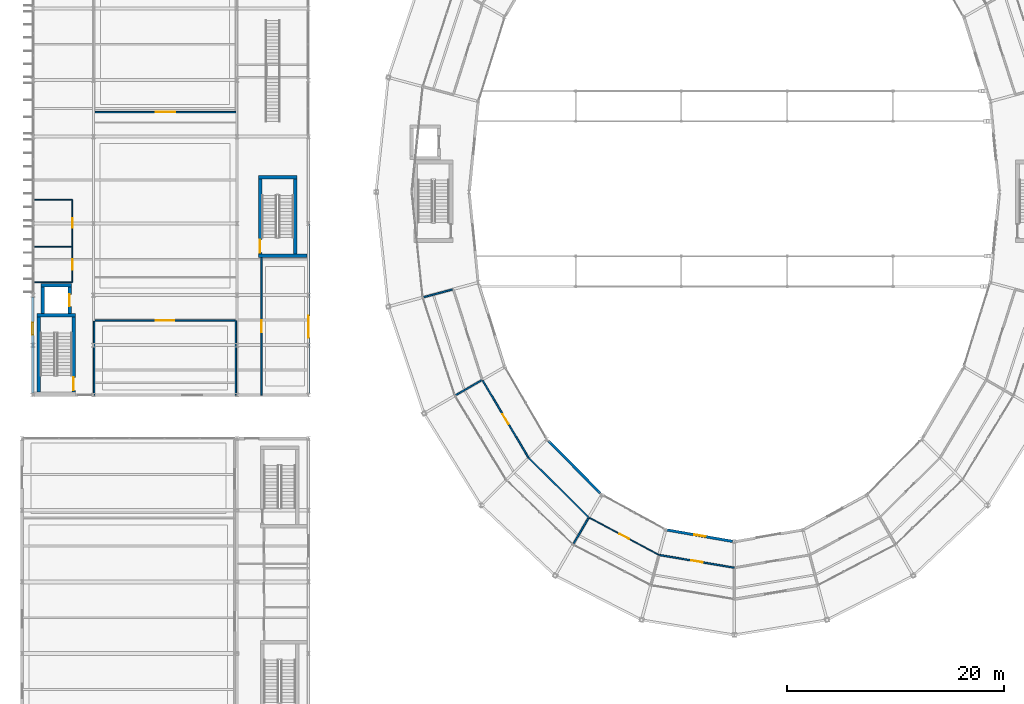
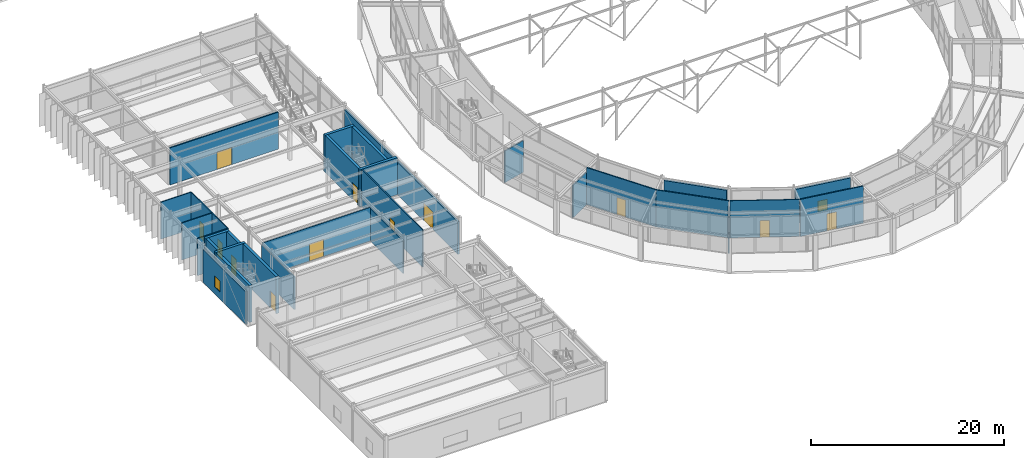
# One storey, part 122 of 144: 31 walls, 12 doors, 2 windows, 14 openings.
"""IFC4 building model written with IfcOpenShell, lengths in metres."""

from ifc_helpers import new_model, si_unit, direction, frame, frame_2d, origin, place, context, subcontext, project, spatial, rectangle, extrude, material, layer, layer_set, type_object, element, fill, save


model = new_model("IFC4")

# Units and contexts
model_context = context("Model", 3, precision=1e-05, world=origin(), true_north=direction((0.0, 1.0)))
body_context = subcontext(model_context, "Body", "Model", "MODEL_VIEW")
ifc_project = project(units=[si_unit("LENGTHUNIT", "METRE"), si_unit("AREAUNIT", "SQUARE_METRE"), si_unit("VOLUMEUNIT", "CUBIC_METRE"), si_unit("PLANEANGLEUNIT", "RADIAN"), si_unit("MASSUNIT", "GRAM", prefix="KILO")], contexts=[model_context])

# Site, building, storey
site_placement = place(None, origin())
site = spatial("IfcSite", under=ifc_project, at=site_placement, CompositionType="ELEMENT")
building_placement = place(site_placement, origin())
building = spatial("IfcBuilding", under=site, at=building_placement, Name="Karori Crest Natural Sciences Institute", CompositionType="ELEMENT")
storey_placement = place(building_placement, origin())
storey = spatial("IfcBuildingStorey", under=building, at=storey_placement, Name="L00", CompositionType="ELEMENT", Elevation=0.0)

# Walls
ifc_material_1 = material(Name="Concrete 50 MPa", Category="concrete")
ifc_layer_1 = layer(ifc_material_1, 0.320068359375, Name="Concrete 50 MPa")
ifc_layer_set_1 = layer_set([ifc_layer_1], Name="Concrete 50 MPa")
wall_type_1 = type_object("IfcWallType", Name="IWT-03", PredefinedType="SHEAR", material=ifc_layer_set_1)
wall_1_placement = place(storey_placement, frame((2.179931640625, 38.56005859375, 0.0), z_axis=(0.0, 0.0, 1.0), x_axis=(1.0, 0.0, 0.0)))
element("IfcWall", 1, at=wall_1_placement, inside=storey, type_object=wall_type_1, Name="Shear wall IW-0230", PredefinedType="SHEAR", context=body_context, shape_type="SweptSolid", body=[
    extrude(rectangle(XDim=3.5400390625, YDim=0.320068359375, at=frame_2d((1.77001953125, 0.0))), origin(), (0.0, 0.0, 1.0), 4.699951171875),
])
wall_2_placement = place(storey_placement, frame((2.340087890625, 31.501953125, 0.0), z_axis=(0.0, 0.0, 1.0), x_axis=(0.0, 1.0, 0.0)))
element("IfcWall", 2, at=wall_2_placement, inside=storey, type_object=wall_type_1, Name="Shear wall IW-0231", PredefinedType="SHEAR", context=body_context, shape_type="SweptSolid", body=[
    extrude(rectangle(XDim=6.89599609375, YDim=0.320068359375, at=frame_2d((3.447998046875, 0.0))), origin(), (0.0, 0.0, 1.0), 4.699951171875),
])

# Wall, opening, door
wall_3_placement = place(storey_placement, frame((5.56005859375, 31.501953125, 0.0), z_axis=(0.0, 0.0, 1.0), x_axis=(0.0, 1.0, 0.0)))
wall_3 = element("IfcWall", 3, at=wall_3_placement, inside=storey, type_object=wall_type_1, Name="Shear wall IW-0232", PredefinedType="SHEAR", context=body_context, shape_type="SweptSolid", body=[
    extrude(rectangle(XDim=6.89599609375, YDim=0.320068359375, at=frame_2d((3.447998046875, 0.0))), origin(), (0.0, 0.0, 1.0), 4.699951171875),
])
opening_1_placement = place(wall_3_placement, frame((0.1201171875, 0.0, 0.0)))
opening_1 = element("IfcOpeningElement", 4, at=opening_1_placement, cuts=wall_3, Name="Opening ID-0058", PredefinedType="OPENING", context=body_context, shape_type="SweptSolid", body=[
    extrude(rectangle(XDim=1.199951171875, YDim=2.14990234375, at=frame_2d((0.60009765625, 1.074951171875))), frame((0.0, 0.169921875, 0.0), z_axis=(0.0, -1.0, 0.0), x_axis=(1.0, 0.0, 0.0)), (0.0, 0.0, 1.0), 0.340087890625),
])
ifc_material_2 = material(Name="Stainless steel 316 and fire-rated timber", Category="steel")
door_type_1 = type_object("IfcDoorType", Name="IDT-01", OperationType="NOTDEFINED", PredefinedType="DOOR", material=ifc_material_2)
door_1_placement = place(opening_1_placement, origin())
door_1 = element("IfcDoor", 5, at=door_1_placement, inside=storey, type_object=door_type_1, Name="Stair ST-07 fire door ID-0058", OperationType="SINGLE_SWING_RIGHT", OverallHeight=2.14990234375, OverallWidth=1.199951171875, PredefinedType="DOOR", context=body_context, shape_type="SweptSolid", body=[
    extrude(rectangle(XDim=1.199951171875, YDim=2.14990234375, at=frame_2d((0.60009765625, 1.074951171875))), frame((0.0, 0.02490234375, 0.0), z_axis=(0.0, -1.0, 0.0), x_axis=(1.0, 0.0, 0.0)), (0.0, 0.0, 1.0), 0.050048828125),
])
fill(opening_1, door_1)

# Walls
wall_4_placement = place(storey_placement, frame((22.580078125, 44.0400390625, 0.0), z_axis=(0.0, 0.0, 1.0), x_axis=(1.0, 0.0, 0.0)))
element("IfcWall", 6, at=wall_4_placement, inside=storey, type_object=wall_type_1, Name="Shear wall IW-0253", PredefinedType="SHEAR", context=body_context, shape_type="SweptSolid", body=[
    extrude(rectangle(XDim=4.48486328125, YDim=0.320068359375, at=frame_2d((2.242431640625, 0.0))), origin(), (0.0, 0.0, 1.0), 4.699951171875),
])
wall_5_placement = place(storey_placement, frame((22.580078125, 51.260009765625, 0.0), z_axis=(0.0, 0.0, 1.0), x_axis=(1.0, 0.0, 0.0)))
element("IfcWall", 7, at=wall_5_placement, inside=storey, type_object=wall_type_1, Name="Shear wall IW-0254", PredefinedType="SHEAR", context=body_context, shape_type="SweptSolid", body=[
    extrude(rectangle(XDim=3.5400390625, YDim=0.320068359375, at=frame_2d((1.77001953125, 0.0))), origin(), (0.0, 0.0, 1.0), 4.699951171875),
])

# Wall, opening, door
wall_6_placement = place(storey_placement, frame((22.739990234375, 44.201904296875, 0.0), z_axis=(0.0, 0.0, 1.0), x_axis=(0.0, 1.0, 0.0)))
wall_6 = element("IfcWall", 8, at=wall_6_placement, inside=storey, type_object=wall_type_1, Name="Shear wall IW-0255", PredefinedType="SHEAR", context=body_context, shape_type="SweptSolid", body=[
    extrude(rectangle(XDim=6.89599609375, YDim=0.320068359375, at=frame_2d((3.447998046875, 0.0))), origin(), (0.0, 0.0, 1.0), 4.699951171875),
])
opening_2_placement = place(wall_6_placement, frame((0.1201171875, 0.0, 0.0)))
opening_2 = element("IfcOpeningElement", 9, at=opening_2_placement, cuts=wall_6, Name="Opening ID-0064", PredefinedType="OPENING", context=body_context, shape_type="SweptSolid", body=[
    extrude(rectangle(XDim=1.199951171875, YDim=2.14990234375, at=frame_2d((0.60009765625, 1.074951171875))), frame((0.0, 0.169921875, 0.0), z_axis=(0.0, -1.0, 0.0), x_axis=(1.0, 0.0, 0.0)), (0.0, 0.0, 1.0), 0.340087890625),
])
door_2_placement = place(opening_2_placement, origin())
door_2 = element("IfcDoor", 10, at=door_2_placement, inside=storey, type_object=door_type_1, Name="Stair ST-08 fire door ID-0064", OperationType="SINGLE_SWING_RIGHT", OverallHeight=2.14990234375, OverallWidth=1.199951171875, PredefinedType="DOOR", context=body_context, shape_type="SweptSolid", body=[
    extrude(rectangle(XDim=1.199951171875, YDim=2.14990234375, at=frame_2d((0.60009765625, 1.074951171875))), frame((0.0, 0.02490234375, 0.0), z_axis=(0.0, -1.0, 0.0), x_axis=(1.0, 0.0, 0.0)), (0.0, 0.0, 1.0), 0.050048828125),
])
fill(opening_2, door_2)

# Walls
wall_7_placement = place(storey_placement, frame((25.9599609375, 44.201904296875, 0.0), z_axis=(0.0, 0.0, 1.0), x_axis=(0.0, 1.0, 0.0)))
element("IfcWall", 11, at=wall_7_placement, inside=storey, type_object=wall_type_1, Name="Shear wall IW-0256", PredefinedType="SHEAR", context=body_context, shape_type="SweptSolid", body=[
    extrude(rectangle(XDim=6.89599609375, YDim=0.320068359375, at=frame_2d((3.447998046875, 0.0))), origin(), (0.0, 0.0, 1.0), 4.699951171875),
])
wall_8_placement = place(storey_placement, frame((2.544921875, 41.294921875, 0.0), z_axis=(0.0, 0.0, 1.0), x_axis=(1.0, 0.0, 0.0)))
element("IfcWall", 12, at=wall_8_placement, inside=storey, type_object=wall_type_1, Name="Shear wall IW-0472", PredefinedType="SHEAR", context=body_context, shape_type="SweptSolid", body=[
    extrude(rectangle(XDim=2.81005859375, YDim=0.320068359375, at=frame_2d((1.405029296875, 0.0))), origin(), (0.0, 0.0, 1.0), 4.699951171875),
])
wall_9_placement = place(storey_placement, frame((2.705078125, 38.721923828125, 0.0), z_axis=(0.0, 0.0, 1.0), x_axis=(0.0, 1.0, 0.0)))
element("IfcWall", 13, at=wall_9_placement, inside=storey, type_object=wall_type_1, Name="Shear wall IW-0473", PredefinedType="SHEAR", context=body_context, shape_type="SweptSolid", body=[
    extrude(rectangle(XDim=2.4111328125, YDim=0.320068359375, at=frame_2d((1.20556640625, 0.0))), origin(), (0.0, 0.0, 1.0), 4.699951171875),
])

# Wall, opening, door
wall_10_placement = place(storey_placement, frame((5.195068359375, 38.721923828125, 0.0), z_axis=(0.0, 0.0, 1.0), x_axis=(0.0, 1.0, 0.0)))
wall_10 = element("IfcWall", 14, at=wall_10_placement, inside=storey, type_object=wall_type_1, Name="Shear wall IW-0474", PredefinedType="SHEAR", context=body_context, shape_type="SweptSolid", body=[
    extrude(rectangle(XDim=2.4111328125, YDim=0.320068359375, at=frame_2d((1.20556640625, 0.0))), origin(), (0.0, 0.0, 1.0), 4.699951171875),
])
opening_3_placement = place(wall_10_placement, frame((0.655517578125, 0.0, 0.0)))
opening_3 = element("IfcOpeningElement", 15, at=opening_3_placement, cuts=wall_10, Name="Opening LD-0043", PredefinedType="OPENING", context=body_context, shape_type="SweptSolid", body=[
    extrude(rectangle(XDim=1.10009765625, YDim=2.14990234375, at=frame_2d((0.550048828125, 1.074951171875))), frame((0.0, 0.169921875, 0.0), z_axis=(0.0, -1.0, 0.0), x_axis=(1.0, 0.0, 0.0)), (0.0, 0.0, 1.0), 0.340087890625),
])
door_type_2 = type_object("IfcDoorType", Name="LDT-01", OperationType="SLIDING_TO_LEFT", PredefinedType="DOOR", material=ifc_material_2)
door_3_placement = place(opening_3_placement, origin())
door_3 = element("IfcDoor", 16, at=door_3_placement, inside=storey, type_object=door_type_2, Name="Lift LP-03 landing door LD-0043", OperationType="SLIDING_TO_LEFT", OverallHeight=2.14990234375, OverallWidth=1.10009765625, PredefinedType="DOOR", context=body_context, shape_type="SweptSolid", body=[
    extrude(rectangle(XDim=1.10009765625, YDim=2.14990234375, at=frame_2d((0.550048828125, 1.074951171875))), frame((0.0, 0.02490234375, 0.0), z_axis=(0.0, -1.0, 0.0), x_axis=(1.0, 0.0, 0.0)), (0.0, 0.0, 1.0), 0.050048828125),
])
fill(opening_3, door_3)

ifc_material_3 = material(Name="Laboratory acoustic drywall partition")
ifc_layer_2 = layer(ifc_material_3, 0.139892578125, Name="Laboratory acoustic drywall partition")
ifc_layer_set_2 = layer_set([ifc_layer_2], Name="Laboratory acoustic drywall partition")
wall_type_2 = type_object("IfcWallType", Name="IWT-07", PredefinedType="PARTITIONING", material=ifc_layer_set_2)
wall_11_placement = place(storey_placement, frame((7.531982421875, 57.25, 0.0), z_axis=(0.0, 0.0, 1.0), x_axis=(1.0, 0.0, 0.0)))
wall_11 = element("IfcWall", 17, at=wall_11_placement, inside=storey, type_object=wall_type_2, Name="Partition wall IW-1079", PredefinedType="PARTITIONING", context=body_context, shape_type="SweptSolid", body=[
    extrude(rectangle(XDim=12.968017578125, YDim=0.139892578125, at=frame_2d((6.48388671875, 0.0))), origin(), (0.0, 0.0, 1.0), 4.699951171875),
])
opening_4_placement = place(wall_11_placement, frame((5.583984375, 0.0, 0.0)))
opening_4 = element("IfcOpeningElement", 18, at=opening_4_placement, cuts=wall_11, Name="Opening ID-0310", PredefinedType="OPENING", context=body_context, shape_type="SweptSolid", body=[
    extrude(rectangle(XDim=1.800048828125, YDim=2.199951171875, at=frame_2d((0.89990234375, 1.10009765625))), frame((0.0, 0.080078125, 0.0), z_axis=(0.0, -1.0, 0.0), x_axis=(1.0, 0.0, 0.0)), (0.0, 0.0, 1.0), 0.159912109375),
])
door_type_3 = type_object("IfcDoorType", Name="IDT-15", OperationType="DOUBLE_DOOR_SINGLE_SWING", PredefinedType="DOOR", material=ifc_material_2)
door_4_placement = place(opening_4_placement, origin())
door_4 = element("IfcDoor", 19, at=door_4_placement, inside=storey, type_object=door_type_3, Name="Public Science Exhibition Hall door ID-0310", OperationType="DOUBLE_DOOR_SINGLE_SWING", OverallHeight=2.199951171875, OverallWidth=1.800048828125, PredefinedType="DOOR", context=body_context, shape_type="SweptSolid", body=[
    extrude(rectangle(XDim=1.800048828125, YDim=2.199951171875, at=frame_2d((0.89990234375, 1.10009765625))), frame((0.0, 0.02490234375, 0.0), z_axis=(0.0, -1.0, 0.0), x_axis=(1.0, 0.0, 0.0)), (0.0, 0.0, 1.0), 0.050048828125),
])
fill(opening_4, door_4)

wall_12_placement = place(storey_placement, frame((7.531982421875, 38.050048828125, 0.0), z_axis=(0.0, 0.0, 1.0), x_axis=(1.0, 0.0, 0.0)))
wall_12 = element("IfcWall", 20, at=wall_12_placement, inside=storey, type_object=wall_type_2, Name="Partition wall IW-1082", PredefinedType="PARTITIONING", context=body_context, shape_type="SweptSolid", body=[
    extrude(rectangle(XDim=12.89599609375, YDim=0.139892578125, at=frame_2d((6.447998046875, 0.0))), origin(), (0.0, 0.0, 1.0), 4.298095703125),
])
opening_5_placement = place(wall_12_placement, frame((5.597900390625, 0.0, 0.0)))
opening_5 = element("IfcOpeningElement", 21, at=opening_5_placement, cuts=wall_12, Name="Opening ID-0311", PredefinedType="OPENING", context=body_context, shape_type="SweptSolid", body=[
    extrude(rectangle(XDim=1.699951171875, YDim=2.199951171875, at=frame_2d((0.85009765625, 1.10009765625))), frame((0.0, 0.080078125, 0.0), z_axis=(0.0, -1.0, 0.0), x_axis=(1.0, 0.0, 0.0)), (0.0, 0.0, 1.0), 0.159912109375),
])
door_type_4 = type_object("IfcDoorType", Name="IDT-06", OperationType="DOUBLE_DOOR_SINGLE_SWING", PredefinedType="DOOR", material=ifc_material_2)
door_5_placement = place(opening_5_placement, origin())
door_5 = element("IfcDoor", 22, at=door_5_placement, inside=storey, type_object=door_type_4, Name="Campus Cafe and Dining Commons door ID-0311", OperationType="DOUBLE_DOOR_SINGLE_SWING", OverallHeight=2.199951171875, OverallWidth=1.699951171875, PredefinedType="DOOR", context=body_context, shape_type="SweptSolid", body=[
    extrude(rectangle(XDim=1.699951171875, YDim=2.199951171875, at=frame_2d((0.85009765625, 1.10009765625))), frame((0.0, 0.02490234375, 0.0), z_axis=(0.0, -1.0, 0.0), x_axis=(1.0, 0.0, 0.0)), (0.0, 0.0, 1.0), 0.050048828125),
])
fill(opening_5, door_5)

# Walls
wall_13_placement = place(storey_placement, frame((7.449951171875, 31.199951171875, 0.0), z_axis=(0.0, 0.0, 1.0), x_axis=(0.0, 1.0, 0.0)))
element("IfcWall", 23, at=wall_13_placement, inside=storey, type_object=wall_type_2, Name="Partition wall IW-1083", PredefinedType="PARTITIONING", context=body_context, shape_type="SweptSolid", body=[
    extrude(rectangle(XDim=6.778076171875, YDim=0.139892578125, at=frame_2d((3.38916015625, 0.0))), origin(), (0.0, 0.0, 1.0), 4.14501953125),
])
wall_14_placement = place(storey_placement, frame((20.5, 31.199951171875, 0.0), z_axis=(0.0, 0.0, 1.0), x_axis=(0.0, 1.0, 0.0)))
element("IfcWall", 24, at=wall_14_placement, inside=storey, type_object=wall_type_2, Name="Partition wall IW-1084", PredefinedType="PARTITIONING", context=body_context, shape_type="SweptSolid", body=[
    extrude(rectangle(XDim=6.85009765625, YDim=0.139892578125, at=frame_2d((3.425048828125, 0.0))), origin(), (0.0, 0.0, 1.0), 4.14501953125),
])
wall_15_placement = place(storey_placement, frame((40.435791015625, 40.92431640625, 0.0), z_axis=(0.0, 0.0, 1.0), x_axis=(-0.965897894464, -0.258923265601, 0.0)))
element("IfcWall", 25, at=wall_15_placement, inside=storey, type_object=wall_type_2, Name="Partition wall IW-1191", PredefinedType="PARTITIONING", context=body_context, shape_type="SweptSolid", body=[
    extrude(rectangle(XDim=2.760009765625, YDim=0.139892578125, at=frame_2d((1.3798828125, 0.0))), origin(), (0.0, 0.0, 1.0), 4.02294921875),
])
wall_16_placement = place(storey_placement, frame((43.12109375, 32.56005859375, 0.0), z_axis=(0.0, 0.0, 1.0), x_axis=(-0.86599702495, -0.500049150362, 0.0)))
element("IfcWall", 26, at=wall_16_placement, inside=storey, type_object=wall_type_2, Name="Partition wall IW-1192", PredefinedType="PARTITIONING", context=body_context, shape_type="SweptSolid", body=[
    extrude(rectangle(XDim=2.760009765625, YDim=0.139892578125, at=frame_2d((1.3798828125, 0.0))), origin(), (0.0, 0.0, 1.0), 4.092041015625),
])

# Wall, opening, door
wall_17_placement = place(storey_placement, frame((43.227294921875, 32.5380859375, 0.0), z_axis=(0.0, 0.0, 1.0), x_axis=(0.510911392115, -0.859633380812, 0.0)))
wall_17 = element("IfcWall", 27, at=wall_17_placement, inside=storey, type_object=wall_type_2, Name="Partition wall IW-1193", PredefinedType="PARTITIONING", context=body_context, shape_type="SweptSolid", body=[
    extrude(rectangle(XDim=8.263916015625, YDim=0.139892578125, at=frame_2d((4.1318359375, 0.0))), origin(), (0.0, 0.0, 1.0), 4.699951171875),
])
opening_6_placement = place(wall_17_placement, frame((3.60693359375, 0.0, 0.0)))
opening_6 = element("IfcOpeningElement", 28, at=opening_6_placement, cuts=wall_17, Name="Opening ID-0359", PredefinedType="OPENING", context=body_context, shape_type="SweptSolid", body=[
    extrude(rectangle(XDim=1.050048828125, YDim=2.14990234375, at=frame_2d((0.52490234375, 1.074951171875))), frame((0.0, 0.080078125, 0.0), z_axis=(0.0, -1.0, 0.0), x_axis=(1.0, 0.0, 0.0)), (0.0, 0.0, 1.0), 0.159912109375),
])
door_type_5 = type_object("IfcDoorType", Name="IDT-03", OperationType="NOTDEFINED", PredefinedType="DOOR", material=ifc_material_2)
door_6_placement = place(opening_6_placement, origin())
door_6 = element("IfcDoor", 29, at=door_6_placement, inside=storey, type_object=door_type_5, Name="Paleoclimate Core Analysis Laboratory door ID-0359", OperationType="SINGLE_SWING_LEFT", OverallHeight=2.14990234375, OverallWidth=1.050048828125, PredefinedType="DOOR", context=body_context, shape_type="SweptSolid", body=[
    extrude(rectangle(XDim=1.050048828125, YDim=2.14990234375, at=frame_2d((0.52490234375, 1.074951171875))), frame((0.0, 0.02490234375, 0.0), z_axis=(0.0, -1.0, 0.0), x_axis=(1.0, 0.0, 0.0)), (0.0, 0.0, 1.0), 0.050048828125),
])
fill(opening_6, door_6)

# Walls
wall_18_placement = place(storey_placement, frame((47.450927734375, 25.4326171875, 0.0), z_axis=(0.0, 0.0, 1.0), x_axis=(0.710427757183, -0.703770134222, 0.0)))
element("IfcWall", 30, at=wall_18_placement, inside=storey, type_object=wall_type_2, Name="Partition wall IW-1194", PredefinedType="PARTITIONING", context=body_context, shape_type="SweptSolid", body=[
    extrude(rectangle(XDim=7.810791015625, YDim=0.139892578125, at=frame_2d((3.9052734375, 0.0))), origin(), (0.0, 0.0, 1.0), 4.699951171875),
])
wall_19_placement = place(storey_placement, frame((52.9599609375, 19.8662109375, 0.0), z_axis=(0.0, 0.0, 1.0), x_axis=(-0.499982807329, -0.86603532975, 0.0)))
element("IfcWall", 31, at=wall_19_placement, inside=storey, type_object=wall_type_2, Name="Partition wall IW-1195", PredefinedType="PARTITIONING", context=body_context, shape_type="SweptSolid", body=[
    extrude(rectangle(XDim=2.759765625, YDim=0.139892578125, at=frame_2d((1.3798828125, 0.0))), origin(), (0.0, 0.0, 1.0), 4.012939453125),
])

# Wall, opening, door
wall_20_placement = place(storey_placement, frame((59.51513671875, 16.47021484375, 0.0), z_axis=(0.0, 0.0, 1.0), x_axis=(0.985861622289, -0.167561516157, 0.0)))
wall_20 = element("IfcWall", 32, at=wall_20_placement, inside=storey, type_object=wall_type_2, Name="Partition wall IW-1198", PredefinedType="PARTITIONING", context=body_context, shape_type="SweptSolid", body=[
    extrude(rectangle(XDim=6.9833984375, YDim=0.139892578125, at=frame_2d((3.49169921875, 0.0))), origin(), (0.0, 0.0, 1.0), 4.699951171875),
])
opening_7_placement = place(wall_20_placement, frame((2.966796875, 0.0, 0.0)))
opening_7 = element("IfcOpeningElement", 33, at=opening_7_placement, cuts=wall_20, Name="Opening ID-0361", PredefinedType="OPENING", context=body_context, shape_type="SweptSolid", body=[
    extrude(rectangle(XDim=1.050048828125, YDim=2.14990234375, at=frame_2d((0.52490234375, 1.074951171875))), frame((0.0, 0.080078125, 0.0), z_axis=(0.0, -1.0, 0.0), x_axis=(1.0, 0.0, 0.0)), (0.0, 0.0, 1.0), 0.159912109375),
])
door_7_placement = place(opening_7_placement, origin())
door_7 = element("IfcDoor", 34, at=door_7_placement, inside=storey, type_object=door_type_5, Name="Atmospheric Physics Laboratory door ID-0361", OperationType="SINGLE_SWING_LEFT", OverallHeight=2.14990234375, OverallWidth=1.050048828125, PredefinedType="DOOR", context=body_context, shape_type="SweptSolid", body=[
    extrude(rectangle(XDim=1.050048828125, YDim=2.14990234375, at=frame_2d((0.52490234375, 1.074951171875))), frame((0.0, 0.02490234375, 0.0), z_axis=(0.0, -1.0, 0.0), x_axis=(1.0, 0.0, 0.0)), (0.0, 0.0, 1.0), 0.050048828125),
])
fill(opening_7, door_7)

ifc_material_4 = material(Name="Write-up office acoustic partition")
ifc_layer_3 = layer(ifc_material_4, 0.1201171875, Name="Write-up office acoustic partition")
ifc_layer_set_3 = layer_set([ifc_layer_3], Name="Write-up office acoustic partition")
wall_type_3 = type_object("IfcWallType", Name="IWT-08", PredefinedType="PARTITIONING", material=ifc_layer_set_3)
wall_21_placement = place(storey_placement, frame((22.85009765625, 31.199951171875, 0.0), z_axis=(0.0, 0.0, 1.0), x_axis=(0.0, 1.0, 0.0)))
wall_21 = element("IfcWall", 35, at=wall_21_placement, inside=storey, type_object=wall_type_3, Name="Partition wall IW-1085", PredefinedType="PARTITIONING", context=body_context, shape_type="SweptSolid", body=[
    extrude(rectangle(XDim=12.679931640625, YDim=0.1201171875, at=frame_2d((6.33984375, 0.0))), origin(), (0.0, 0.0, 1.0), 4.699951171875),
])
opening_8_placement = place(wall_21_placement, frame((5.800048828125, 0.0, 0.0)))
opening_8 = element("IfcOpeningElement", 36, at=opening_8_placement, cuts=wall_21, Name="Opening ID-0312", PredefinedType="OPENING", context=body_context, shape_type="SweptSolid", body=[
    extrude(rectangle(XDim=1.080078125, YDim=2.1201171875, at=frame_2d((0.5400390625, 1.06005859375))), frame((0.0, 0.070068359375, 0.0), z_axis=(0.0, -1.0, 0.0), x_axis=(1.0, 0.0, 0.0)), (0.0, 0.0, 1.0), 0.14013671875),
])
ifc_material_5 = material(Name="Anodised aluminium and acoustic timber", Category="wood")
door_type_6 = type_object("IfcDoorType", Name="IDT-12", OperationType="NOTDEFINED", PredefinedType="DOOR", material=ifc_material_5)
door_8_placement = place(opening_8_placement, origin())
door_8 = element("IfcDoor", 37, at=door_8_placement, inside=storey, type_object=door_type_6, Name="Community Science Outreach Room door ID-0312", OperationType="SINGLE_SWING_LEFT", OverallHeight=2.1201171875, OverallWidth=1.080078125, PredefinedType="DOOR", context=body_context, shape_type="SweptSolid", body=[
    extrude(rectangle(XDim=1.080078125, YDim=2.1201171875, at=frame_2d((0.5400390625, 1.06005859375))), frame((0.0, 0.02490234375, 0.0), z_axis=(0.0, -1.0, 0.0), x_axis=(1.0, 0.0, 0.0)), (0.0, 0.0, 1.0), 0.050048828125),
])
fill(opening_8, door_8)

# Walls
ifc_material_6 = material(Name="Washroom moisture-resistant partition")
ifc_layer_4 = layer(ifc_material_6, 0.10009765625, Name="Washroom moisture-resistant partition")
ifc_layer_set_4 = layer_set([ifc_layer_4], Name="Washroom moisture-resistant partition")
wall_type_4 = type_object("IfcWallType", Name="IWT-09", PredefinedType="PARTITIONING", material=ifc_layer_set_4)
for number, where, z_axis, x_axis, name in (
    (38, (1.800048828125, 41.60009765625, 0.0), (0.0, 0.0, 1.0), (1.0, 0.0, 0.0), "Partition wall IW-1086"),
    (39, (1.800048828125, 44.85009765625, 0.0), (0.0, 0.0, 1.0), (1.0, 0.0, 0.0), "Partition wall IW-1087"),
):
    element("IfcWall", number, at=place(storey_placement, frame(where, z_axis=z_axis, x_axis=x_axis)), inside=storey, type_object=wall_type_4, Name=name, PredefinedType="PARTITIONING", context=body_context, shape_type="SweptSolid", body=[
        extrude(rectangle(XDim=3.64990234375, YDim=0.10009765625, at=frame_2d((1.824951171875, 0.0))), origin(), (0.0, 0.0, 1.0), 4.699951171875),
    ])

# Wall, opening, door
wall_22_placement = place(storey_placement, frame((5.449951171875, 41.60009765625, 0.0), z_axis=(0.0, 0.0, 1.0), x_axis=(0.0, 1.0, 0.0)))
wall_22 = element("IfcWall", 40, at=wall_22_placement, inside=storey, type_object=wall_type_4, Name="Partition wall IW-1088", PredefinedType="PARTITIONING", context=body_context, shape_type="SweptSolid", body=[
    extrude(rectangle(XDim=3.25, YDim=0.10009765625, at=frame_2d((1.625, 0.0))), origin(), (0.0, 0.0, 1.0), 4.699951171875),
])
opening_9_placement = place(wall_22_placement, frame((1.125, 0.0, 0.0)))
opening_9 = element("IfcOpeningElement", 41, at=opening_9_placement, cuts=wall_22, Name="Opening ID-0313", PredefinedType="OPENING", context=body_context, shape_type="SweptSolid", body=[
    extrude(rectangle(XDim=1.0, YDim=2.10009765625, at=frame_2d((0.5, 1.050048828125))), frame((0.0, 0.06005859375, 0.0), z_axis=(0.0, -1.0, 0.0), x_axis=(1.0, 0.0, 0.0)), (0.0, 0.0, 1.0), 0.1201171875),
])
door_type_7 = type_object("IfcDoorType", Name="IDT-09", OperationType="NOTDEFINED", PredefinedType="DOOR", material=ifc_material_5)
door_9_placement = place(opening_9_placement, origin())
door_9 = element("IfcDoor", 42, at=door_9_placement, inside=storey, type_object=door_type_7, Name="Accessible WC door ID-0313", OperationType="SINGLE_SWING_RIGHT", OverallHeight=2.10009765625, OverallWidth=1.0, PredefinedType="DOOR", context=body_context, shape_type="SweptSolid", body=[
    extrude(rectangle(XDim=1.0, YDim=2.10009765625, at=frame_2d((0.5, 1.050048828125))), frame((0.0, 0.02490234375, 0.0), z_axis=(0.0, -1.0, 0.0), x_axis=(1.0, 0.0, 0.0)), (0.0, 0.0, 1.0), 0.050048828125),
])
fill(opening_9, door_9)

# Wall
wall_23_placement = place(storey_placement, frame((1.800048828125, 49.199951171875, 0.0), z_axis=(0.0, 0.0, 1.0), x_axis=(1.0, 0.0, 0.0)))
element("IfcWall", 43, at=wall_23_placement, inside=storey, type_object=wall_type_4, Name="Partition wall IW-1089", PredefinedType="PARTITIONING", context=body_context, shape_type="SweptSolid", body=[
    extrude(rectangle(XDim=3.64990234375, YDim=0.10009765625, at=frame_2d((1.824951171875, 0.0))), origin(), (0.0, 0.0, 1.0), 4.699951171875),
])

# Wall, opening, door
wall_24_placement = place(storey_placement, frame((5.449951171875, 44.85205078125, 0.0), z_axis=(0.0, 0.0, 1.0), x_axis=(0.0, 1.0, 0.0)))
wall_24 = element("IfcWall", 44, at=wall_24_placement, inside=storey, type_object=wall_type_4, Name="Partition wall IW-1090", PredefinedType="PARTITIONING", context=body_context, shape_type="SweptSolid", body=[
    extrude(rectangle(XDim=4.347900390625, YDim=0.10009765625, at=frame_2d((2.173828125, 0.0))), origin(), (0.0, 0.0, 1.0), 4.699951171875),
])
opening_10_placement = place(wall_24_placement, frame((1.73388671875, 0.0, 0.0)))
opening_10 = element("IfcOpeningElement", 45, at=opening_10_placement, cuts=wall_24, Name="Opening ID-0314", PredefinedType="OPENING", context=body_context, shape_type="SweptSolid", body=[
    extrude(rectangle(XDim=0.8798828125, YDim=2.080078125, at=frame_2d((0.43994140625, 1.0400390625))), frame((0.0, 0.06005859375, 0.0), z_axis=(0.0, -1.0, 0.0), x_axis=(1.0, 0.0, 0.0)), (0.0, 0.0, 1.0), 0.1201171875),
])
door_type_8 = type_object("IfcDoorType", Name="IDT-10", OperationType="NOTDEFINED", PredefinedType="DOOR", material=ifc_material_5)
door_10_placement = place(opening_10_placement, origin())
door_10 = element("IfcDoor", 46, at=door_10_placement, inside=storey, type_object=door_type_8, Name="Public Washroom WC door ID-0314", OperationType="SINGLE_SWING_LEFT", OverallHeight=2.080078125, OverallWidth=0.8798828125, PredefinedType="DOOR", context=body_context, shape_type="SweptSolid", body=[
    extrude(rectangle(XDim=0.8798828125, YDim=2.080078125, at=frame_2d((0.43994140625, 1.0400390625))), frame((0.0, 0.02490234375, 0.0), z_axis=(0.0, -1.0, 0.0), x_axis=(1.0, 0.0, 0.0)), (0.0, 0.0, 1.0), 0.050048828125),
])
fill(opening_10, door_10)

wall_25_placement = place(storey_placement, frame((53.0634765625, 19.901611328125, 0.0), z_axis=(0.0, 0.0, 1.0), x_axis=(0.881826283139, -0.471574391125, 0.0)))
wall_25 = element("IfcWall", 47, at=wall_25_placement, inside=storey, type_object=wall_type_4, Name="Partition wall IW-1196", PredefinedType="PARTITIONING", context=body_context, shape_type="SweptSolid", body=[
    extrude(rectangle(XDim=7.2578125, YDim=0.10009765625, at=frame_2d((3.62890625, 0.0))), origin(), (0.0, 0.0, 1.0), 4.699951171875),
])
opening_11_placement = place(wall_25_placement, frame((3.12890625, 0.0, 0.0)))
opening_11 = element("IfcOpeningElement", 48, at=opening_11_placement, cuts=wall_25, Name="Opening ID-0360", PredefinedType="OPENING", context=body_context, shape_type="SweptSolid", body=[
    extrude(rectangle(XDim=1.0, YDim=2.10009765625, at=frame_2d((0.5, 1.050048828125))), frame((0.0, 0.06005859375, 0.0), z_axis=(0.0, -1.0, 0.0), x_axis=(1.0, 0.0, 0.0)), (0.0, 0.0, 1.0), 0.1201171875),
])
door_11_placement = place(opening_11_placement, origin())
door_11 = element("IfcDoor", 49, at=door_11_placement, inside=storey, type_object=door_type_7, Name="Laboratory Washroom WC door ID-0360", OperationType="SINGLE_SWING_RIGHT", OverallHeight=2.10009765625, OverallWidth=1.0, PredefinedType="DOOR", context=body_context, shape_type="SweptSolid", body=[
    extrude(rectangle(XDim=1.0, YDim=2.10009765625, at=frame_2d((0.5, 1.050048828125))), frame((0.0, 0.02490234375, 0.0), z_axis=(0.0, -1.0, 0.0), x_axis=(1.0, 0.0, 0.0)), (0.0, 0.0, 1.0), 0.050048828125),
])
fill(opening_11, door_11)

# Wall
ifc_material_7 = material(Name="Precast concrete 40 MPa", Category="concrete")
ifc_layer_5 = layer(ifc_material_7, 0.239990234375, Name="Precast concrete 40 MPa")
ifc_layer_set_5 = layer_set([ifc_layer_5], Name="Precast concrete 40 MPa")
wall_type_5 = type_object("IfcWallType", Name="WT-04", PredefinedType="SOLIDWALL", material=ifc_layer_set_5)
wall_26_placement = place(storey_placement, frame((49.298583984375, 26.977294921875, 0.0), z_axis=(0.0, 0.0, 1.0), x_axis=(0.702651385176, -0.711534279505, 0.0)))
element("IfcWall", 50, at=wall_26_placement, inside=storey, type_object=wall_type_5, Name="Exterior wall EW-0030", PredefinedType="SOLIDWALL", context=body_context, shape_type="SweptSolid", body=[
    extrude(rectangle(XDim=6.76123046875, YDim=0.239990234375, at=frame_2d((3.380615234375, 0.0))), origin(), (0.0, 0.0, 1.0), 4.35009765625),
])

# Wall, opening, window
wall_27_placement = place(storey_placement, frame((60.21728515625, 18.774169921875, 0.0), z_axis=(0.0, 0.0, 1.0), x_axis=(0.985241011519, -0.171172863562, 0.0)))
wall_27 = element("IfcWall", 51, at=wall_27_placement, inside=storey, type_object=wall_type_5, Name="Exterior wall EW-0031", PredefinedType="SOLIDWALL", context=body_context, shape_type="SweptSolid", body=[
    extrude(rectangle(XDim=6.12158203125, YDim=0.239990234375, at=frame_2d((3.060791015625, 0.0))), origin(), (0.0, 0.0, 1.0), 4.35009765625),
])
opening_12_placement = place(wall_27_placement, frame((2.535888671875, 0.0, 0.85009765625)))
opening_12 = element("IfcOpeningElement", 52, at=opening_12_placement, cuts=wall_27, Name="Opening WN-0006", PredefinedType="OPENING", context=body_context, shape_type="SweptSolid", body=[
    extrude(rectangle(XDim=1.050048828125, YDim=1.35009765625, at=frame_2d((0.52490234375, 0.675048828125))), frame((0.0, 0.1298828125, 0.0), z_axis=(0.0, -1.0, 0.0), x_axis=(1.0, 0.0, 0.0)), (0.0, 0.0, 1.0), 0.260009765625),
])
ifc_material_8 = material(Name="Double low-E laminated glass", Category="glass")
window_type_1 = type_object("IfcWindowType", Name="WNT-18", PartitioningType="SINGLE_PANEL", PredefinedType="WINDOW", material=ifc_material_8)
window_1_placement = place(opening_12_placement, origin())
window_1 = element("IfcWindow", 53, at=window_1_placement, inside=storey, type_object=window_type_1, Name="Window WN-0006", OverallHeight=1.35009765625, OverallWidth=1.050048828125, PartitioningType="SINGLE_PANEL", PredefinedType="WINDOW", context=body_context, shape_type="SweptSolid", body=[
    extrude(rectangle(XDim=1.050048828125, YDim=1.35009765625, at=frame_2d((0.52490234375, 0.675048828125))), frame((0.0, 0.030029296875, 0.0), z_axis=(0.0, -1.0, 0.0), x_axis=(1.0, 0.0, 0.0)), (0.0, 0.0, 1.0), 0.06005859375),
])
fill(opening_12, window_1)

ifc_layer_6 = layer(ifc_material_7, 0.219970703125, Name="Precast concrete 40 MPa")
ifc_layer_set_6 = layer_set([ifc_layer_6], Name="Precast concrete 40 MPa")
wall_type_6 = type_object("IfcWallType", Name="WT-05", PredefinedType="SOLIDWALL", material=ifc_layer_set_6)
wall_28_placement = place(storey_placement, frame((1.800048828125, 31.373046875, 0.0), z_axis=(0.0, 0.0, 1.0), x_axis=(0.0, 1.0, 0.0)))
wall_28 = element("IfcWall", 54, at=wall_28_placement, inside=storey, type_object=wall_type_6, Name="Exterior wall EW-0133", PredefinedType="SOLIDWALL", context=body_context, shape_type="SweptSolid", body=[
    extrude(rectangle(XDim=8.85400390625, YDim=0.219970703125, at=frame_2d((4.427001953125, 0.0))), origin(), (0.0, 0.0, 1.0), 4.14501953125),
])
opening_13_placement = place(wall_28_placement, frame((5.39990234375, 0.0, 0.85009765625)))
opening_13 = element("IfcOpeningElement", 55, at=opening_13_placement, cuts=wall_28, Name="Opening WN-0072", PredefinedType="OPENING", context=body_context, shape_type="SweptSolid", body=[
    extrude(rectangle(XDim=1.10009765625, YDim=1.39990234375, at=frame_2d((0.550048828125, 0.699951171875))), frame((0.0, 0.1201171875, 0.0), z_axis=(0.0, -1.0, 0.0), x_axis=(1.0, 0.0, 0.0)), (0.0, 0.0, 1.0), 0.239990234375),
])
window_type_2 = type_object("IfcWindowType", Name="WNT-01", PartitioningType="SINGLE_PANEL", PredefinedType="WINDOW", material=ifc_material_8)
window_2_placement = place(opening_13_placement, origin())
window_2 = element("IfcWindow", 56, at=window_2_placement, inside=storey, type_object=window_type_2, Name="Window WN-0072", OverallHeight=1.39990234375, OverallWidth=1.10009765625, PartitioningType="SINGLE_PANEL", PredefinedType="WINDOW", context=body_context, shape_type="SweptSolid", body=[
    extrude(rectangle(XDim=1.10009765625, YDim=1.39990234375, at=frame_2d((0.550048828125, 0.699951171875))), frame((0.0, 0.030029296875, 0.0), z_axis=(0.0, -1.0, 0.0), x_axis=(1.0, 0.0, 0.0)), (0.0, 0.0, 1.0), 0.06005859375),
])
fill(opening_13, window_2)

# Wall, opening, door
wall_29_placement = place(storey_placement, frame((27.199951171875, 54.826904296875, 0.0), z_axis=(0.0, 0.0, 1.0), x_axis=(0.0, -1.0, 0.0)))
wall_29 = element("IfcWall", 57, at=wall_29_placement, inside=storey, type_object=wall_type_6, Name="Exterior wall EW-0135", PredefinedType="SOLIDWALL", context=body_context, shape_type="SweptSolid", body=[
    extrude(rectangle(XDim=23.453857421875, YDim=0.219970703125, at=frame_2d((11.72705078125, 0.0))), origin(), (0.0, 0.0, 1.0), 4.14501953125),
])
opening_14_placement = place(wall_29_placement, frame((16.326904296875, 0.0, 0.0)))
opening_14 = element("IfcOpeningElement", 58, at=opening_14_placement, cuts=wall_29, Name="Opening ED-0017", PredefinedType="OPENING", context=body_context, shape_type="SweptSolid", body=[
    extrude(rectangle(XDim=2.0, YDim=2.25, at=frame_2d((1.0, 1.125))), frame((0.0, 0.1201171875, 0.0), z_axis=(0.0, -1.0, 0.0), x_axis=(1.0, 0.0, 0.0)), (0.0, 0.0, 1.0), 0.239990234375),
])
ifc_material_9 = material(Name="Anodised architectural aluminium 6063-T6", Category="aluminium")
door_type_9 = type_object("IfcDoorType", Name="EDT-01", OperationType="DOUBLE_DOOR_SINGLE_SWING", PredefinedType="DOOR", material=ifc_material_9)
door_12_placement = place(opening_14_placement, origin())
door_12 = element("IfcDoor", 59, at=door_12_placement, inside=storey, type_object=door_type_9, Name="Atrium court entrance door ED-0017", OperationType="DOUBLE_DOOR_SINGLE_SWING", OverallHeight=2.25, OverallWidth=2.0, PredefinedType="DOOR", context=body_context, shape_type="SweptSolid", body=[
    extrude(rectangle(XDim=2.0, YDim=2.25, at=frame_2d((1.0, 1.125))), frame((0.0, 0.02490234375, 0.0), z_axis=(0.0, -1.0, 0.0), x_axis=(1.0, 0.0, 0.0)), (0.0, 0.0, 1.0), 0.050048828125),
])
fill(opening_14, door_12)

save(model, "model.ifc")
